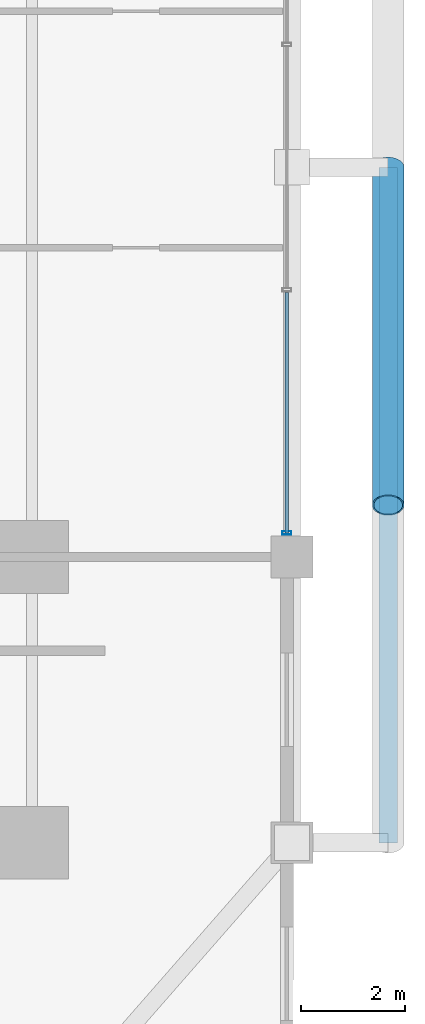
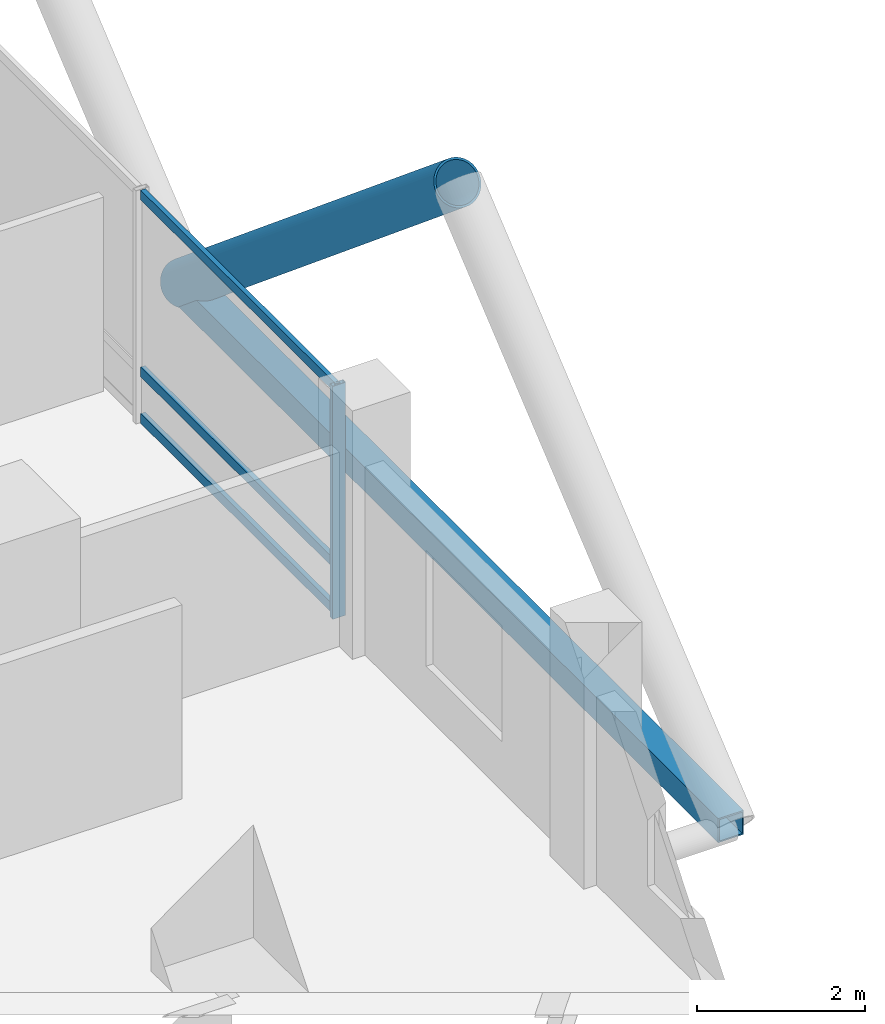
# One storey, part 10 of 27: 6 members, 1 element without a shape of its own.
"""IFC4 building model written with IfcOpenShell, lengths in metres."""

import ifcopenshell
import ifcopenshell.guid

model = None  # the IFC model being written
_history = None  # IfcOwnerHistory: only IFC2X3 demands one
_inside = {}  # id of a spatial element -> (the spatial element, [elements in it])
_under = {}  # id of a project, library or spatial element -> (it, [spatial elements below it])
_declared = {}  # id of a project -> (the project, [libraries it declares])
_typed = {}  # id of a type object -> (the type object, [elements of that type])
_made_of = {}  # id of a material, layer set ... -> (it, [elements and type objects made of it])


def new_model(schema):
    """Start an empty IFC model of exactly this schema.

    Asked for "IFC4X3", IfcOpenShell would pick the latest addendum, in which some entities
    have other attributes; the version numbers below select the first issue.
    IFC2X3 requires an IfcOwnerHistory on every rooted entity: one is made here for all.
    """
    global model, _history
    if schema == "IFC4X3":
        model = ifcopenshell.file(schema_version=(4, 3, 0, 0))
    else:
        model = ifcopenshell.file(schema=schema)
    _inside.clear()
    _under.clear()
    _declared.clear()
    _typed.clear()
    _made_of.clear()
    _history = None
    if model.schema == "IFC2X3":
        org = make("IfcOrganization", Name="unknown")
        user = make(
            "IfcPersonAndOrganization",
            ThePerson=make("IfcPerson", FamilyName="unknown"),
            TheOrganization=org,
        )
        app = make(
            "IfcApplication",
            ApplicationDeveloper=org,
            Version="unknown",
            ApplicationFullName="unknown",
            ApplicationIdentifier="unknown",
        )
        _history = make(
            "IfcOwnerHistory",
            OwningUser=user,
            OwningApplication=app,
            ChangeAction="ADDED",
            CreationDate=0,
        )
    return model


def make(cls, **values):
    """One entity of the class cls with the attributes given. An attribute that is None is left unset."""
    return model.create_entity(
        cls, **{name: value for name, value in values.items() if value is not None}
    )


def rooted(cls, **values):
    """An entity with a GlobalId (a new one), such as an element, a storey or a relation."""
    return make(cls, GlobalId=ifcopenshell.guid.new(), OwnerHistory=_history, **values)


def si_unit(unit_type, name, prefix=None):
    """IfcSIUnit, for example si_unit("LENGTHUNIT", "METRE", prefix="MILLI")."""
    return make("IfcSIUnit", UnitType=unit_type, Prefix=prefix, Name=name)


def assignment(units):
    """IfcUnitAssignment: the units of a project."""
    return None if units is None else make("IfcUnitAssignment", Units=units)


def point(xyz):
    """IfcCartesianPoint."""
    return None if xyz is None else make("IfcCartesianPoint", Coordinates=xyz)


def direction(xyz):
    """IfcDirection."""
    return None if xyz is None else make("IfcDirection", DirectionRatios=xyz)


def frame(location, z_axis=None, x_axis=None):
    """IfcAxis2Placement3D, a coordinate frame: its origin and axes. An axis left out is left unset."""
    return make(
        "IfcAxis2Placement3D",
        Location=point(location),
        Axis=direction(z_axis),
        RefDirection=direction(x_axis),
    )


def frame_2d(location, x_axis=None):
    """IfcAxis2Placement2D, a coordinate frame in the plane: its origin and x axis."""
    return make(
        "IfcAxis2Placement2D", Location=point(location), RefDirection=direction(x_axis)
    )


def origin():
    """The frame at (0, 0, 0) with its axes left unset."""
    return frame((0.0, 0.0, 0.0))


def origin_2d():
    """The frame at (0, 0) in the plane with its x axis left unset."""
    return frame_2d((0.0, 0.0))


def place(relative_to, where):
    """IfcLocalPlacement: puts the frame where relative to a parent placement (None: the world)."""
    return make(
        "IfcLocalPlacement", PlacementRelTo=relative_to, RelativePlacement=where
    )


def context(
    kind, dimensions, precision=None, world=None, true_north=None, identifier=None
):
    """IfcGeometricRepresentationContext, for example the 3D "Model" context."""
    return make(
        "IfcGeometricRepresentationContext",
        ContextIdentifier=identifier,
        ContextType=kind,
        CoordinateSpaceDimension=dimensions,
        Precision=precision,
        WorldCoordinateSystem=world,
        TrueNorth=true_north,
    )


def subcontext(parent, identifier, kind, view, scale=None):
    """IfcGeometricRepresentationSubContext, for example "Body" below "Model"."""
    return make(
        "IfcGeometricRepresentationSubContext",
        ContextIdentifier=identifier,
        ContextType=kind,
        ParentContext=parent,
        TargetScale=scale,
        TargetView=view,
    )


def project(units=None, contexts=None):
    """IfcProject with its units and contexts."""
    return rooted(
        "IfcProject",
        Name="project",
        RepresentationContexts=contexts,
        UnitsInContext=assignment(units),
    )


def spatial(cls, under=None, at=None, **own):
    """A site, building, storey or space (cls), placed at a placement, below another one or the project."""
    s = rooted(cls, ObjectPlacement=at, **own)
    if under is not None:
        _under.setdefault(under.id(), (under, []))[1].append(s)
    return s


def profile(cls, at=None, kind="AREA", **sizes):
    """A parametric profile (cls). Its sizes go by their IFC names, for example OverallWidth=200.0."""
    return make(cls, ProfileType=kind, Position=at, **sizes)


def hollow_rectangle(**sizes):
    """IfcRectangleHollowProfileDef."""
    return profile("IfcRectangleHollowProfileDef", **sizes)


def hollow_circle(**sizes):
    """IfcCircleHollowProfileDef."""
    return profile("IfcCircleHollowProfileDef", **sizes)


def extrude(swept, where, along, depth):
    """IfcExtrudedAreaSolid: the profile swept, set in the frame where, extruded along a direction by depth."""
    return make(
        "IfcExtrudedAreaSolid",
        SweptArea=swept,
        Position=where,
        ExtrudedDirection=direction(along),
        Depth=depth,
    )


def shape(context_of_items, identifier, shape_type, items):
    """IfcShapeRepresentation: the items that make up one representation, for example the "Body"."""
    return make(
        "IfcShapeRepresentation",
        ContextOfItems=context_of_items,
        RepresentationIdentifier=identifier,
        RepresentationType=shape_type,
        Items=items,
    )


def material(Name=None, Category=None):
    """IfcMaterial."""
    return make("IfcMaterial", Name=Name, Category=Category)


def layer(
    of_material, thickness, ventilated=None, Name=None, Category=None, Priority=None
):
    """IfcMaterialLayer: one layer of a wall or slab, of a material (None: an air gap)."""
    return make(
        "IfcMaterialLayer",
        Material=of_material,
        LayerThickness=thickness,
        IsVentilated=ventilated,
        Name=Name,
        Category=Category,
        Priority=Priority,
    )


def layer_set(layers, Name=None):
    """IfcMaterialLayerSet."""
    return make("IfcMaterialLayerSet", MaterialLayers=layers, LayerSetName=Name)


def material_profile(
    of_material, cross_section, Name=None, Category=None, Priority=None
):
    """IfcMaterialProfile: a cross section and its material."""
    return make(
        "IfcMaterialProfile",
        Name=Name,
        Material=of_material,
        Profile=cross_section,
        Priority=Priority,
        Category=Category,
    )


def profile_set(profiles, Name=None, composite=None):
    """IfcMaterialProfileSet."""
    return make(
        "IfcMaterialProfileSet",
        Name=Name,
        MaterialProfiles=profiles,
        CompositeProfile=composite,
    )


def made_of(thing, what):
    """Note that an element or type object is made of a material, layer set ...; save() writes the relation."""
    if what is not None:
        _made_of.setdefault(what.id(), (what, []))[1].append(thing)
    return thing


def type_object(cls, material=None, **own):
    """A type object (cls), such as IfcWallType, which elements share."""
    return made_of(rooted(cls, **own), material)


def element(
    cls,
    number,
    at=None,
    inside=None,
    cuts=None,
    type_object=None,
    material=None,
    context=None,
    identifier="Body",
    shape_type=None,
    held_by="IfcProductDefinitionShape",
    body=None,
    shapes=None,
    **own,
):
    """One element of the class cls, such as IfcWall. Its Tag is "e" and its number.

    at: its placement. inside: the storey or other place that contains it. cuts: it is an
    opening in that element (IfcRelVoidsElement). A single representation is given by context,
    identifier, shape_type and body (its items); several are given by shapes. held_by: the class
    of the entity that holds the representations. save() writes the other relations.
    """
    e = rooted(cls, Tag="e%d" % number, ObjectPlacement=at, **own)
    if body is not None:
        shapes = [shape(context, identifier, shape_type, body)]
    if shapes is not None:
        e.Representation = make(held_by, Representations=shapes)
    if inside is not None:
        _inside.setdefault(inside.id(), (inside, []))[1].append(e)
    if cuts is not None:
        rooted(
            "IfcRelVoidsElement", RelatingBuildingElement=cuts, RelatedOpeningElement=e
        )
    if type_object is not None:
        _typed.setdefault(type_object.id(), (type_object, []))[1].append(e)
    return made_of(e, material)


def aggregate(whole, parts):
    """IfcRelAggregates: a whole, such as a stair, and the parts it consists of."""
    return rooted("IfcRelAggregates", RelatingObject=whole, RelatedObjects=parts)


def save(model, path):
    """Write the relations noted so far, then the file.

    IfcRelAggregates (storeys below a building ...), IfcRelContainedInSpatialStructure (elements
    in a storey), IfcRelDefinesByType, IfcRelAssociatesMaterial and IfcRelDeclares: one each for
    every whole, place, type object, material and project.
    """
    for whole, parts in _under.values():
        aggregate(whole, parts)
    for where, things in _inside.values():
        rooted(
            "IfcRelContainedInSpatialStructure",
            RelatedElements=things,
            RelatingStructure=where,
        )
    for kind, things in _typed.values():
        rooted("IfcRelDefinesByType", RelatedObjects=things, RelatingType=kind)
    for what, things in _made_of.values():
        rooted("IfcRelAssociatesMaterial", RelatedObjects=things, RelatingMaterial=what)
    for by, libraries in _declared.values():
        rooted("IfcRelDeclares", RelatingContext=by, RelatedDefinitions=libraries)
    model.write(path)


model = new_model("IFC4")

# Units and contexts
model_context = context("Model", 3, precision=1e-05, world=origin(), true_north=direction((0.0, 1.0)))
body_context = subcontext(model_context, "Body", "Model", "MODEL_VIEW")
ifc_project = project(units=[si_unit("LENGTHUNIT", "METRE"), si_unit("AREAUNIT", "SQUARE_METRE"), si_unit("VOLUMEUNIT", "CUBIC_METRE"), si_unit("PLANEANGLEUNIT", "RADIAN"), si_unit("MASSUNIT", "GRAM", prefix="KILO")], contexts=[model_context])

# Site, building, storey
site_placement = place(None, origin())
site = spatial("IfcSite", under=ifc_project, at=site_placement, CompositionType="ELEMENT")
building_placement = place(site_placement, origin())
building = spatial("IfcBuilding", under=site, at=building_placement, Name="Barlavira Tower and Art Museum", CompositionType="ELEMENT")
storey_placement = place(building_placement, frame((0.0, 0.0, 61.199951171875)))
storey = spatial("IfcBuildingStorey", under=building, at=storey_placement, Name="L14", CompositionType="ELEMENT", Elevation=61.199951171875)

# Curtain wall, members
ifc_material_1 = material(Name="Low-iron coastal laminated glass", Category="glass")
ifc_layer = layer(ifc_material_1, 0.179931640625, Name="Low-iron coastal laminated glass")
ifc_layer_set = layer_set([ifc_layer], Name="Low-iron coastal laminated glass")
curtain_wall_type = type_object("IfcCurtainWallType", Name="Pale-Metal Unitised Curtain Wall Zone 1", PredefinedType="NOTDEFINED", material=ifc_layer_set)
curtain_wall_placement = place(storey_placement, origin())
curtain_wall = element("IfcCurtainWall", 1, at=curtain_wall_placement, inside=storey, type_object=curtain_wall_type, Name="L14 Curtain Wall CW1-L14-E-B3", PredefinedType="NOTDEFINED")
ifc_material_2 = material(Name="Pale anodised aluminium", Category="aluminium")
ifc_material_profile_1 = material_profile(ifc_material_2, hollow_rectangle(XDim=0.06494140625, YDim=0.179931640625, WallThickness=0.00390625, at=origin_2d()), Name="ALU-MULL 65x180x4")
ifc_profile_set_1 = profile_set([ifc_material_profile_1], Name="Pale anodised aluminium")
member_type_1 = type_object("IfcMemberType", Name="Curtain Wall Pale-Metal Mullion 65x180", PredefinedType="MULLION", material=ifc_profile_set_1)
member_1_placement = place(storey_placement, frame((21.89990234375, -7.034912109375, 0.0), z_axis=(0.0, 0.0, 1.0), x_axis=(0.0, 1.0, 0.0)))
member_1 = element("IfcMember", 2, at=member_1_placement, type_object=member_type_1, Name="CW1-L14-E-B3 Mullion 0", PredefinedType="MULLION", context=body_context, shape_type="SweptSolid", body=[
    extrude(hollow_rectangle(XDim=0.06494140625, YDim=0.179931640625, WallThickness=0.00390625, at=origin_2d()), origin(), (0.0, 0.0, 1.0), 3.380126953125),
])
ifc_material_profile_2 = material_profile(ifc_material_2, hollow_rectangle(XDim=0.06494140625, YDim=0.139892578125, WallThickness=0.00390625, at=origin_2d()), Name="ALU-TRAN 65x140x4")
ifc_profile_set_2 = profile_set([ifc_material_profile_2], Name="Pale anodised aluminium")
member_type_2 = type_object("IfcMemberType", Name="Curtain Wall Pale-Metal Transom 65x140", PredefinedType="USERDEFINED", material=ifc_profile_set_2)
member_2_placement = place(storey_placement, frame((21.89990234375, -7.034912109375, 0.070068359375), z_axis=(0.0, 1.0, 0.0), x_axis=(-1.0, 0.0, 0.0)))
member_2 = element("IfcMember", 3, at=member_2_placement, type_object=member_type_2, Name="CW1-L14-E-B3 Transom 0.1", ObjectType="TRANSOM", PredefinedType="USERDEFINED", context=body_context, shape_type="SweptSolid", body=[
    extrude(hollow_rectangle(XDim=0.06494140625, YDim=0.139892578125, WallThickness=0.00390625, at=origin_2d()), origin(), (0.0, 0.0, 1.0), 4.6298828125),
])
member_3_placement = place(storey_placement, frame((21.89990234375, -7.034912109375, 0.744140625), z_axis=(0.0, 1.0, 0.0), x_axis=(-1.0, 0.0, 0.0)))
member_3 = element("IfcMember", 4, at=member_3_placement, type_object=member_type_2, Name="CW1-L14-E-B3 Transom 0.2", ObjectType="TRANSOM", PredefinedType="USERDEFINED", context=body_context, shape_type="SweptSolid", body=[
    extrude(hollow_rectangle(XDim=0.06494140625, YDim=0.139892578125, WallThickness=0.00390625, at=origin_2d()), origin(), (0.0, 0.0, 1.0), 4.6298828125),
])
member_4_placement = place(storey_placement, frame((21.89990234375, -7.034912109375, 3.31005859375), z_axis=(0.0, 1.0, 0.0), x_axis=(-1.0, 0.0, 0.0)))
member_4 = element("IfcMember", 5, at=member_4_placement, type_object=member_type_2, Name="CW1-L14-E-B3 Transom 0.3", ObjectType="TRANSOM", PredefinedType="USERDEFINED", context=body_context, shape_type="SweptSolid", body=[
    extrude(hollow_rectangle(XDim=0.06494140625, YDim=0.139892578125, WallThickness=0.00390625, at=origin_2d()), origin(), (0.0, 0.0, 1.0), 4.6298828125),
])
aggregate(curtain_wall, [member_1, member_2, member_3, member_4])

# Members
ifc_material_3 = material(Name="Steel S355", Category="steel")
ifc_material_profile_3 = material_profile(ifc_material_3, hollow_circle(Radius=0.304931640625, WallThickness=0.028076171875, at=origin_2d()), Name="CHS 610.0x28.0")
ifc_profile_set_3 = profile_set([ifc_material_profile_3], Name="Steel S355")
member_type_3 = type_object("IfcMemberType", Name="Pale-Metal Exoskeleton Diagrid Tube CHS 610x28 Steel S355", PredefinedType="BRACE", material=ifc_profile_set_3)
member_5_placement = place(storey_placement, frame((23.85009765625, 0.0, -0.119873046875), z_axis=(0.0, -0.769196053329, 0.639012857104), x_axis=(1.0, 0.0, 0.0)))
element("IfcMember", 6, at=member_5_placement, inside=storey, type_object=member_type_3, Name="L14 Exoskeleton Diagrid Tube E", PredefinedType="BRACE", context=body_context, shape_type="SweptSolid", body=[
    extrude(hollow_circle(Radius=0.304931640625, WallThickness=0.028076171875, at=origin_2d()), origin(), (0.0, 0.0, 1.0), 8.450439453125),
])
ifc_material_profile_4 = material_profile(ifc_material_3, hollow_rectangle(XDim=0.35009765625, YDim=0.35009765625, WallThickness=0.02001953125, at=origin_2d()), Name="SHS 350x350x20.0")
ifc_profile_set_4 = profile_set([ifc_material_profile_4], Name="Steel S355")
member_type_4 = type_object("IfcMemberType", Name="Pale-Metal Exoskeleton Ring Strut SHS 350x350x20 Steel S355", PredefinedType="STRUT", material=ifc_profile_set_4)
member_6_placement = place(storey_placement, frame((23.85009765625, -13.0, -0.119873046875), z_axis=(0.0, 1.0, 0.0), x_axis=(-1.0, 0.0, 0.0)))
element("IfcMember", 7, at=member_6_placement, inside=storey, type_object=member_type_4, Name="L14 Exoskeleton Ring Strut E", PredefinedType="STRUT", context=body_context, shape_type="SweptSolid", body=[
    extrude(hollow_rectangle(XDim=0.35009765625, YDim=0.35009765625, WallThickness=0.02001953125, at=origin_2d()), origin(), (0.0, 0.0, 1.0), 13.0),
])

save(model, "model.ifc")
